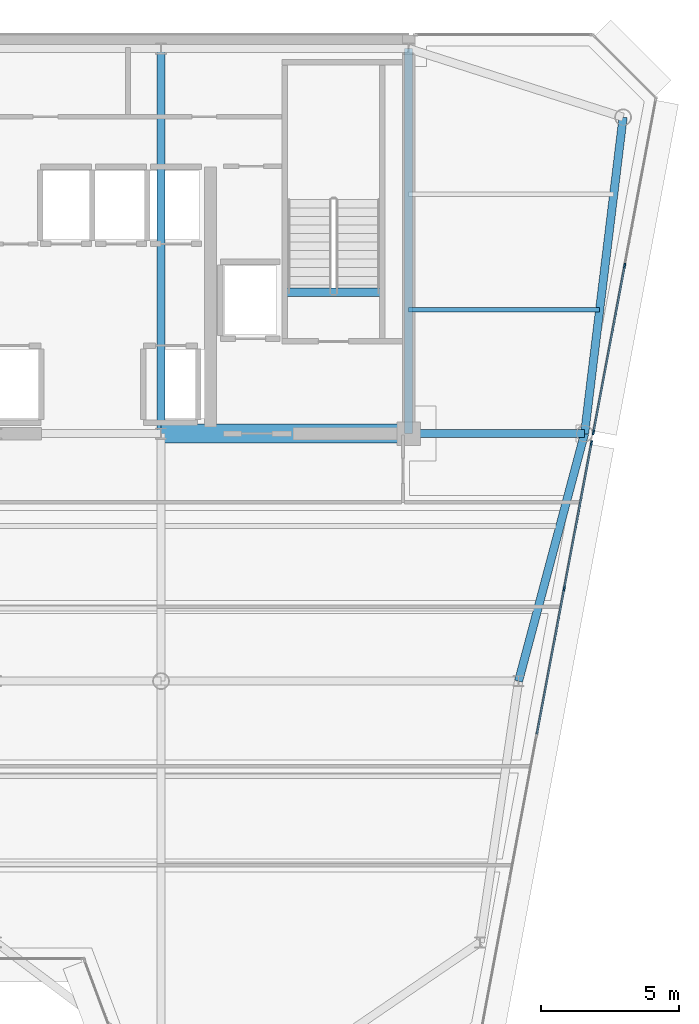
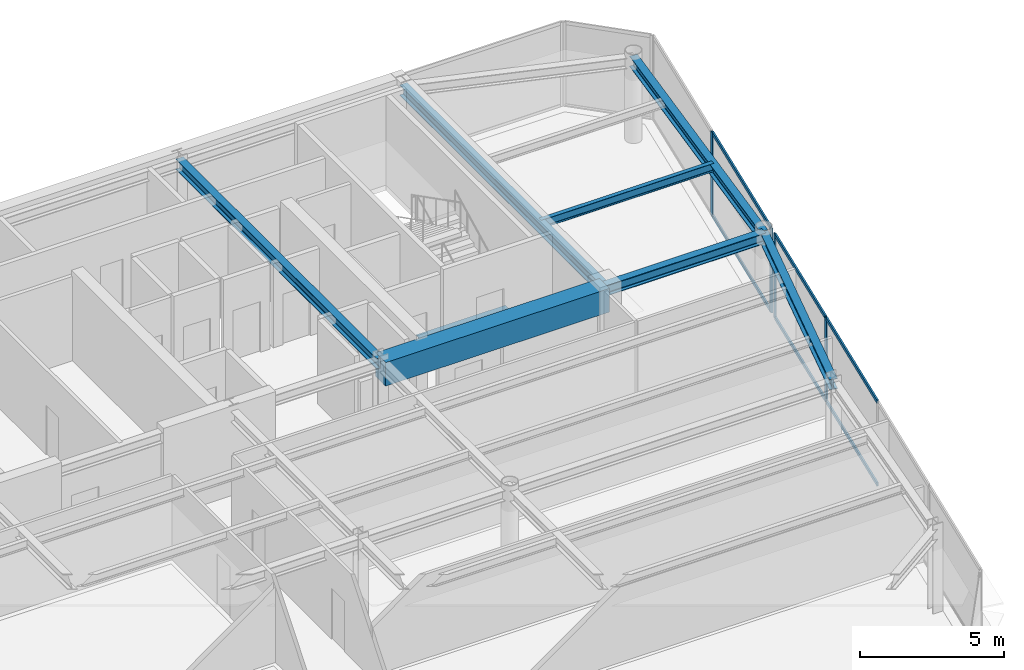
# One storey, part 7 of 20: 10 members, 8 beams, 2 elements without a shape of their own.
"""IFC4 building model written with IfcOpenShell, lengths in metres."""

import ifcopenshell
import ifcopenshell.guid

model = None  # the IFC model being written
_history = None  # IfcOwnerHistory: only IFC2X3 demands one
_inside = {}  # id of a spatial element -> (the spatial element, [elements in it])
_under = {}  # id of a project, library or spatial element -> (it, [spatial elements below it])
_declared = {}  # id of a project -> (the project, [libraries it declares])
_typed = {}  # id of a type object -> (the type object, [elements of that type])
_made_of = {}  # id of a material, layer set ... -> (it, [elements and type objects made of it])


def new_model(schema):
    """Start an empty IFC model of exactly this schema.

    Asked for "IFC4X3", IfcOpenShell would pick the latest addendum, in which some entities
    have other attributes; the version numbers below select the first issue.
    IFC2X3 requires an IfcOwnerHistory on every rooted entity: one is made here for all.
    """
    global model, _history
    if schema == "IFC4X3":
        model = ifcopenshell.file(schema_version=(4, 3, 0, 0))
    else:
        model = ifcopenshell.file(schema=schema)
    _inside.clear()
    _under.clear()
    _declared.clear()
    _typed.clear()
    _made_of.clear()
    _history = None
    if model.schema == "IFC2X3":
        org = make("IfcOrganization", Name="unknown")
        user = make(
            "IfcPersonAndOrganization",
            ThePerson=make("IfcPerson", FamilyName="unknown"),
            TheOrganization=org,
        )
        app = make(
            "IfcApplication",
            ApplicationDeveloper=org,
            Version="unknown",
            ApplicationFullName="unknown",
            ApplicationIdentifier="unknown",
        )
        _history = make(
            "IfcOwnerHistory",
            OwningUser=user,
            OwningApplication=app,
            ChangeAction="ADDED",
            CreationDate=0,
        )
    return model


def make(cls, **values):
    """One entity of the class cls with the attributes given. An attribute that is None is left unset."""
    return model.create_entity(
        cls, **{name: value for name, value in values.items() if value is not None}
    )


def rooted(cls, **values):
    """An entity with a GlobalId (a new one), such as an element, a storey or a relation."""
    return make(cls, GlobalId=ifcopenshell.guid.new(), OwnerHistory=_history, **values)


def si_unit(unit_type, name, prefix=None):
    """IfcSIUnit, for example si_unit("LENGTHUNIT", "METRE", prefix="MILLI")."""
    return make("IfcSIUnit", UnitType=unit_type, Prefix=prefix, Name=name)


def assignment(units):
    """IfcUnitAssignment: the units of a project."""
    return None if units is None else make("IfcUnitAssignment", Units=units)


def point(xyz):
    """IfcCartesianPoint."""
    return None if xyz is None else make("IfcCartesianPoint", Coordinates=xyz)


def direction(xyz):
    """IfcDirection."""
    return None if xyz is None else make("IfcDirection", DirectionRatios=xyz)


def frame(location, z_axis=None, x_axis=None):
    """IfcAxis2Placement3D, a coordinate frame: its origin and axes. An axis left out is left unset."""
    return make(
        "IfcAxis2Placement3D",
        Location=point(location),
        Axis=direction(z_axis),
        RefDirection=direction(x_axis),
    )


def frame_2d(location, x_axis=None):
    """IfcAxis2Placement2D, a coordinate frame in the plane: its origin and x axis."""
    return make(
        "IfcAxis2Placement2D", Location=point(location), RefDirection=direction(x_axis)
    )


def origin():
    """The frame at (0, 0, 0) with its axes left unset."""
    return frame((0.0, 0.0, 0.0))


def origin_2d():
    """The frame at (0, 0) in the plane with its x axis left unset."""
    return frame_2d((0.0, 0.0))


def place(relative_to, where):
    """IfcLocalPlacement: puts the frame where relative to a parent placement (None: the world)."""
    return make(
        "IfcLocalPlacement", PlacementRelTo=relative_to, RelativePlacement=where
    )


def context(
    kind, dimensions, precision=None, world=None, true_north=None, identifier=None
):
    """IfcGeometricRepresentationContext, for example the 3D "Model" context."""
    return make(
        "IfcGeometricRepresentationContext",
        ContextIdentifier=identifier,
        ContextType=kind,
        CoordinateSpaceDimension=dimensions,
        Precision=precision,
        WorldCoordinateSystem=world,
        TrueNorth=true_north,
    )


def subcontext(parent, identifier, kind, view, scale=None):
    """IfcGeometricRepresentationSubContext, for example "Body" below "Model"."""
    return make(
        "IfcGeometricRepresentationSubContext",
        ContextIdentifier=identifier,
        ContextType=kind,
        ParentContext=parent,
        TargetScale=scale,
        TargetView=view,
    )


def project(units=None, contexts=None):
    """IfcProject with its units and contexts."""
    return rooted(
        "IfcProject",
        Name="project",
        RepresentationContexts=contexts,
        UnitsInContext=assignment(units),
    )


def spatial(cls, under=None, at=None, **own):
    """A site, building, storey or space (cls), placed at a placement, below another one or the project."""
    s = rooted(cls, ObjectPlacement=at, **own)
    if under is not None:
        _under.setdefault(under.id(), (under, []))[1].append(s)
    return s


def profile(cls, at=None, kind="AREA", **sizes):
    """A parametric profile (cls). Its sizes go by their IFC names, for example OverallWidth=200.0."""
    return make(cls, ProfileType=kind, Position=at, **sizes)


def rectangle(**sizes):
    """IfcRectangleProfileDef."""
    return profile("IfcRectangleProfileDef", **sizes)


def i_section(**sizes):
    """IfcIShapeProfileDef."""
    return profile("IfcIShapeProfileDef", **sizes)


def extrude(swept, where, along, depth):
    """IfcExtrudedAreaSolid: the profile swept, set in the frame where, extruded along a direction by depth."""
    return make(
        "IfcExtrudedAreaSolid",
        SweptArea=swept,
        Position=where,
        ExtrudedDirection=direction(along),
        Depth=depth,
    )


def shape(context_of_items, identifier, shape_type, items):
    """IfcShapeRepresentation: the items that make up one representation, for example the "Body"."""
    return make(
        "IfcShapeRepresentation",
        ContextOfItems=context_of_items,
        RepresentationIdentifier=identifier,
        RepresentationType=shape_type,
        Items=items,
    )


def source(mapping_origin, context_of_items, identifier, shape_type, items):
    """IfcRepresentationMap: a shape defined once, which mapped items show again and again."""
    return make(
        "IfcRepresentationMap",
        MappingOrigin=mapping_origin,
        MappedRepresentation=shape(context_of_items, identifier, shape_type, items),
    )


def transform(
    local_origin,
    x_axis=None,
    y_axis=None,
    z_axis=None,
    scale=None,
    scale2=None,
    scale3=None,
    uniform=True,
):
    """IfcCartesianTransformationOperator3D, or its non-uniform kind. x_axis, y_axis, z_axis: its Axis1, 2, 3."""
    if uniform:
        return make(
            "IfcCartesianTransformationOperator3D",
            Axis1=direction(x_axis),
            Axis2=direction(y_axis),
            LocalOrigin=point(local_origin),
            Scale=scale,
            Axis3=direction(z_axis),
        )
    return make(
        "IfcCartesianTransformationOperator3DnonUniform",
        Axis1=direction(x_axis),
        Axis2=direction(y_axis),
        LocalOrigin=point(local_origin),
        Scale=scale,
        Axis3=direction(z_axis),
        Scale2=scale2,
        Scale3=scale3,
    )


def mapped(mapping_source, mapping_target):
    """IfcMappedItem: shows the shape of a source again, moved by a transform."""
    return make(
        "IfcMappedItem", MappingSource=mapping_source, MappingTarget=mapping_target
    )


def material(Name=None, Category=None):
    """IfcMaterial."""
    return make("IfcMaterial", Name=Name, Category=Category)


def layer(
    of_material, thickness, ventilated=None, Name=None, Category=None, Priority=None
):
    """IfcMaterialLayer: one layer of a wall or slab, of a material (None: an air gap)."""
    return make(
        "IfcMaterialLayer",
        Material=of_material,
        LayerThickness=thickness,
        IsVentilated=ventilated,
        Name=Name,
        Category=Category,
        Priority=Priority,
    )


def layer_set(layers, Name=None):
    """IfcMaterialLayerSet."""
    return make("IfcMaterialLayerSet", MaterialLayers=layers, LayerSetName=Name)


def material_profile(
    of_material, cross_section, Name=None, Category=None, Priority=None
):
    """IfcMaterialProfile: a cross section and its material."""
    return make(
        "IfcMaterialProfile",
        Name=Name,
        Material=of_material,
        Profile=cross_section,
        Priority=Priority,
        Category=Category,
    )


def profile_set(profiles, Name=None, composite=None):
    """IfcMaterialProfileSet."""
    return make(
        "IfcMaterialProfileSet",
        Name=Name,
        MaterialProfiles=profiles,
        CompositeProfile=composite,
    )


def made_of(thing, what):
    """Note that an element or type object is made of a material, layer set ...; save() writes the relation."""
    if what is not None:
        _made_of.setdefault(what.id(), (what, []))[1].append(thing)
    return thing


def type_object(cls, material=None, **own):
    """A type object (cls), such as IfcWallType, which elements share."""
    return made_of(rooted(cls, **own), material)


def element(
    cls,
    number,
    at=None,
    inside=None,
    cuts=None,
    type_object=None,
    material=None,
    context=None,
    identifier="Body",
    shape_type=None,
    held_by="IfcProductDefinitionShape",
    body=None,
    shapes=None,
    **own,
):
    """One element of the class cls, such as IfcWall. Its Tag is "e" and its number.

    at: its placement. inside: the storey or other place that contains it. cuts: it is an
    opening in that element (IfcRelVoidsElement). A single representation is given by context,
    identifier, shape_type and body (its items); several are given by shapes. held_by: the class
    of the entity that holds the representations. save() writes the other relations.
    """
    e = rooted(cls, Tag="e%d" % number, ObjectPlacement=at, **own)
    if body is not None:
        shapes = [shape(context, identifier, shape_type, body)]
    if shapes is not None:
        e.Representation = make(held_by, Representations=shapes)
    if inside is not None:
        _inside.setdefault(inside.id(), (inside, []))[1].append(e)
    if cuts is not None:
        rooted(
            "IfcRelVoidsElement", RelatingBuildingElement=cuts, RelatedOpeningElement=e
        )
    if type_object is not None:
        _typed.setdefault(type_object.id(), (type_object, []))[1].append(e)
    return made_of(e, material)


def aggregate(whole, parts):
    """IfcRelAggregates: a whole, such as a stair, and the parts it consists of."""
    return rooted("IfcRelAggregates", RelatingObject=whole, RelatedObjects=parts)


def save(model, path):
    """Write the relations noted so far, then the file.

    IfcRelAggregates (storeys below a building ...), IfcRelContainedInSpatialStructure (elements
    in a storey), IfcRelDefinesByType, IfcRelAssociatesMaterial and IfcRelDeclares: one each for
    every whole, place, type object, material and project.
    """
    for whole, parts in _under.values():
        aggregate(whole, parts)
    for where, things in _inside.values():
        rooted(
            "IfcRelContainedInSpatialStructure",
            RelatedElements=things,
            RelatingStructure=where,
        )
    for kind, things in _typed.values():
        rooted("IfcRelDefinesByType", RelatedObjects=things, RelatingType=kind)
    for what, things in _made_of.values():
        rooted("IfcRelAssociatesMaterial", RelatedObjects=things, RelatingMaterial=what)
    for by, libraries in _declared.values():
        rooted("IfcRelDeclares", RelatingContext=by, RelatedDefinitions=libraries)
    model.write(path)


model = new_model("IFC4")

# Units and contexts
model_context = context("Model", 3, precision=1e-05, world=origin(), true_north=direction((0.0, 1.0)))
body_context = subcontext(model_context, "Body", "Model", "MODEL_VIEW")
ifc_project = project(units=[si_unit("LENGTHUNIT", "METRE"), si_unit("AREAUNIT", "SQUARE_METRE"), si_unit("VOLUMEUNIT", "CUBIC_METRE"), si_unit("PLANEANGLEUNIT", "RADIAN"), si_unit("MASSUNIT", "GRAM", prefix="KILO")], contexts=[model_context])

# Site, building, storey
site_placement = place(None, origin())
site = spatial("IfcSite", under=ifc_project, at=site_placement, CompositionType="ELEMENT")
building_placement = place(site_placement, origin())
building = spatial("IfcBuilding", under=site, at=building_placement, Name="Vaeldorn Concourse Tower", CompositionType="ELEMENT")
storey_placement = place(building_placement, frame((0.0, 0.0, 280.199951171875)))
storey = spatial("IfcBuildingStorey", under=building, at=storey_placement, Name="L72", CompositionType="ELEMENT", Elevation=280.199951171875)

# Beams
ifc_material_1 = material(Name="Concrete C50/60", Category="concrete")
ifc_material_profile_1 = material_profile(ifc_material_1, rectangle(XDim=0.699951171875, YDim=1.0, at=origin_2d()), Name="RC 700x1000")
ifc_profile_set_1 = profile_set([ifc_material_profile_1], Name="Concrete C50/60")
beam_type_1 = type_object("IfcBeamType", Name="BM-CB-RC700", PredefinedType="BEAM", material=ifc_profile_set_1)
shared_shape_1 = source(origin(), body_context, "Body", "SweptSolid", [
    extrude(rectangle(XDim=0.699951171875, YDim=1.0, at=origin_2d()), origin(), (0.0, 0.0, 1.0), 9.0),
])
beam_1_placement = place(storey_placement, frame((45.0, 36.5, 3.080078125), z_axis=(1.0, 0.0, 0.0), x_axis=(0.0, 1.0, 0.0)))
element("IfcBeam", 1, at=beam_1_placement, inside=storey, type_object=beam_type_1, Name="Core Coupling Beam L72-2", PredefinedType="BEAM", context=body_context, shape_type="MappedRepresentation", body=[
    mapped(shared_shape_1, transform((0.0, 0.0, 0.0), scale=1.0)),
])
ifc_material_2 = material(Name="Steel S355", Category="steel")
ifc_material_profile_2 = material_profile(ifc_material_2, i_section(OverallWidth=0.300048828125, OverallDepth=0.340087890625, WebThickness=0.011962890625, FlangeThickness=0.021484375, FilletRadius=0.027099609375, at=origin_2d()), Name="HEB 340")
ifc_profile_set_2 = profile_set([ifc_material_profile_2], Name="Steel S355")
beam_type_2 = type_object("IfcBeamType", Name="BM-ST-TRIM", PredefinedType="BEAM", material=ifc_profile_set_2)
shared_shape_2 = source(origin(), body_context, "Body", "SweptSolid", [
    extrude(i_section(OverallWidth=0.300048828125, OverallDepth=0.340087890625, WebThickness=0.011962890625, FlangeThickness=0.021484375, FilletRadius=0.027099609375, at=origin_2d()), origin(), (0.0, 0.0, 1.0), 3.590087890625),
])
beam_2_placement = place(storey_placement, frame((49.47998046875, 41.639892578125, -0.389892578125), z_axis=(1.0, 0.0, 0.0), x_axis=(0.0, 1.0, 0.0)))
element("IfcBeam", 2, at=beam_2_placement, inside=storey, type_object=beam_type_2, Name="Stair Landing Trimmer Beam ST-2 L72", PredefinedType="BEAM", context=body_context, shape_type="MappedRepresentation", body=[
    mapped(shared_shape_2, transform((0.0, 0.0, 0.0), scale=1.0)),
])
ifc_material_profile_3 = material_profile(ifc_material_2, i_section(OverallWidth=0.169921875, OverallDepth=0.360107421875, WebThickness=0.008056640625, FlangeThickness=0.0126953125, FilletRadius=0.01806640625, at=origin_2d()), Name="IPE 360")
ifc_profile_set_3 = profile_set([ifc_material_profile_3], Name="Steel S355")
beam_type_3 = type_object("IfcBeamType", Name="BM-JS-IPE360", PredefinedType="JOIST", material=ifc_profile_set_3)
shared_shape_3 = source(origin(), body_context, "Body", "SweptSolid", [
    extrude(i_section(OverallWidth=0.169921875, OverallDepth=0.360107421875, WebThickness=0.008056640625, FlangeThickness=0.0126953125, FilletRadius=0.01806640625, at=origin_2d()), origin(), (0.0, 0.0, 1.0), 6.94775390625),
])
beam_3_placement = place(storey_placement, frame((54.0, 41.0, 3.400146484375), z_axis=(1.0, 0.0, 0.0), x_axis=(0.0, 1.0, 0.0)))
element("IfcBeam", 3, at=beam_3_placement, inside=storey, type_object=beam_type_3, Name="Beam JS-L72-NE-410", PredefinedType="JOIST", context=body_context, shape_type="MappedRepresentation", body=[
    mapped(shared_shape_3, transform((0.0, 0.0, 0.0), scale=1.0)),
])
ifc_material_profile_4 = material_profile(ifc_material_2, i_section(OverallWidth=0.300048828125, OverallDepth=0.449951171875, WebThickness=0.013916015625, FlangeThickness=0.02587890625, FilletRadius=0.027099609375, at=origin_2d()), Name="HEB 450")
ifc_profile_set_4 = profile_set([ifc_material_profile_4], Name="Steel S355")
beam_type_4 = type_object("IfcBeamType", Name="BM-PG-HEB450", PredefinedType="BEAM", material=ifc_profile_set_4)
shared_shape_4 = source(origin(), body_context, "Body", "SweptSolid", [
    extrude(i_section(OverallWidth=0.300048828125, OverallDepth=0.449951171875, WebThickness=0.013916015625, FlangeThickness=0.02587890625, FilletRadius=0.027099609375, at=origin_2d()), origin(), (0.0, 0.0, 1.0), 14.0),
])
for number, where, z_axis, x_axis, name in (
    (4, (45.0, 36.5, 3.35498046875), (0.0, 1.0, 0.0), (-1.0, 0.0, 0.0), "Beam BM-L72-C-FC5-C-HC4"),
    (5, (54.0, 36.5, 3.35498046875), (0.0, 1.0, 0.0), (-1.0, 0.0, 0.0), "Beam BM-L72-C-FC6-C-HC5"),
):
    element("IfcBeam", number, at=place(storey_placement, frame(where, z_axis=z_axis, x_axis=x_axis)), inside=storey, type_object=beam_type_4, Name=name, PredefinedType="BEAM", context=body_context, shape_type="MappedRepresentation", body=[
        mapped(shared_shape_4, transform((0.0, 0.0, 0.0), scale=1.0)),
    ])
shared_shape_5 = source(origin(), body_context, "Body", "SweptSolid", [
    extrude(i_section(OverallWidth=0.300048828125, OverallDepth=0.449951171875, WebThickness=0.013916015625, FlangeThickness=0.02587890625, FilletRadius=0.027099609375, at=origin_2d()), origin(), (0.0, 0.0, 1.0), 11.5849609375),
])
beam_4_placement = place(storey_placement, frame((61.800048828125, 48.0, 3.35498046875), z_axis=(-0.120859382899, -0.992669637677, 0.0), x_axis=(0.992669637677, -0.120859382899, 0.0)))
element("IfcBeam", 6, at=beam_4_placement, inside=storey, type_object=beam_type_4, Name="Beam BM-L72-C-NE1-C-NE2", PredefinedType="BEAM", context=body_context, shape_type="MappedRepresentation", body=[
    mapped(shared_shape_5, transform((0.0, 0.0, 0.0), scale=1.0)),
])
shared_shape_6 = source(origin(), body_context, "Body", "SweptSolid", [
    extrude(i_section(OverallWidth=0.300048828125, OverallDepth=0.449951171875, WebThickness=0.013916015625, FlangeThickness=0.02587890625, FilletRadius=0.027099609375, at=origin_2d()), origin(), (0.0, 0.0, 1.0), 6.39990234375),
])
beam_5_placement = place(storey_placement, frame((54.0, 36.5, 3.35498046875), z_axis=(1.0, 0.0, 0.0), x_axis=(0.0, 1.0, 0.0)))
element("IfcBeam", 7, at=beam_5_placement, inside=storey, type_object=beam_type_4, Name="Beam BM-L72-C-FC6-C-NE2", PredefinedType="BEAM", context=body_context, shape_type="MappedRepresentation", body=[
    mapped(shared_shape_6, transform((0.0, 0.0, 0.0), scale=1.0)),
])
shared_shape_7 = source(origin(), body_context, "Body", "SweptSolid", [
    extrude(i_section(OverallWidth=0.300048828125, OverallDepth=0.449951171875, WebThickness=0.013916015625, FlangeThickness=0.02587890625, FilletRadius=0.027099609375, at=origin_2d()), origin(), (0.0, 0.0, 1.0), 9.314453125),
])
beam_6_placement = place(storey_placement, frame((60.39990234375, 36.5, 3.35498046875), z_axis=(-0.257652862255, -0.966237549763, 0.0), x_axis=(0.966237549763, -0.257652862255, 0.0)))
element("IfcBeam", 8, at=beam_6_placement, inside=storey, type_object=beam_type_4, Name="Beam BM-L72-C-NE2-C-FLE1", PredefinedType="BEAM", context=body_context, shape_type="MappedRepresentation", body=[
    mapped(shared_shape_7, transform((0.0, 0.0, 0.0), scale=1.0)),
])

# Curtain wall, members
ifc_material_3 = material(Name="Anodised Bronze Aluminium", Category="aluminium")
ifc_layer = layer(ifc_material_3, 0.179931640625)
ifc_layer_set = layer_set([ifc_layer], Name="Anodised Bronze Aluminium")
curtain_wall_type = type_object("IfcCurtainWallType", Name="CW-SYS-05", PredefinedType="NOTDEFINED", material=ifc_layer_set)
curtain_wall_1_placement = place(storey_placement, origin())
curtain_wall_1 = element("IfcCurtainWall", 9, at=curtain_wall_1_placement, inside=storey, type_object=curtain_wall_type, Name="Unitised Curtain Wall CW-L72-E07-1", PredefinedType="NOTDEFINED")
ifc_material_profile_5 = material_profile(ifc_material_3, rectangle(XDim=0.06494140625, YDim=0.169921875, at=origin_2d()), Name="CWM 65x170")
ifc_profile_set_5 = profile_set([ifc_material_profile_5], Name="Anodised Bronze Aluminium")
member_type_1 = type_object("IfcMemberType", Name="CWM-BRONZE-170", PredefinedType="MULLION", material=ifc_profile_set_5)
shared_shape_8 = source(origin(), body_context, "Body", "SweptSolid", [
    extrude(rectangle(XDim=0.06494140625, YDim=0.169921875, at=origin_2d()), origin(), (0.0, 0.0, 1.0), 3.580078125),
])
member_1_placement = place(storey_placement, frame((59.656494140625, 30.86376953125, 0.0), z_axis=(0.0, 0.0, 1.0), x_axis=(-0.982880027444, 0.184246714088, 0.0)))
member_1 = element("IfcMember", 10, at=member_1_placement, type_object=member_type_1, Name="CW-05 mullion 4", PredefinedType="MULLION", context=body_context, shape_type="MappedRepresentation", body=[
    mapped(shared_shape_8, transform((0.0, 0.0, 0.0), scale=1.0)),
])
member_2_placement = place(storey_placement, frame((60.64794921875, 36.153076171875, 0.0), z_axis=(0.0, 0.0, 1.0), x_axis=(-0.982880027444, 0.184246714088, 0.0)))
member_2 = element("IfcMember", 11, at=member_2_placement, type_object=member_type_1, Name="CW-05 mullion 5", PredefinedType="MULLION", context=body_context, shape_type="MappedRepresentation", body=[
    mapped(shared_shape_8, transform((0.0, 0.0, 0.0), scale=1.0)),
])

curtain_wall_2_placement = place(storey_placement, origin())
curtain_wall_2 = element("IfcCurtainWall", 12, at=curtain_wall_2_placement, inside=storey, type_object=curtain_wall_type, Name="Unitised Curtain Wall CW-L72-E07-2", PredefinedType="NOTDEFINED")
member_3_placement = place(storey_placement, frame((60.720947265625, 36.542236328125, 0.0), z_axis=(0.0, 0.0, 1.0), x_axis=(-0.982880218842, 0.184245693053, 0.0)))
member_3 = element("IfcMember", 13, at=member_3_placement, type_object=member_type_1, Name="CW-05 mullion 1", PredefinedType="MULLION", context=body_context, shape_type="MappedRepresentation", body=[
    mapped(shared_shape_8, transform((0.0, 0.0, 0.0), scale=1.0)),
])
member_4_placement = place(storey_placement, frame((61.857421875, 42.605224609375, 0.0), z_axis=(0.0, 0.0, 1.0), x_axis=(-0.982880218842, 0.184245693053, 0.0)))
member_4 = element("IfcMember", 14, at=member_4_placement, type_object=member_type_1, Name="CW-05 mullion 2", PredefinedType="MULLION", context=body_context, shape_type="MappedRepresentation", body=[
    mapped(shared_shape_8, transform((0.0, 0.0, 0.0), scale=1.0)),
])

# Member
ifc_material_profile_6 = material_profile(ifc_material_3, rectangle(XDim=0.06494140625, YDim=0.14990234375, at=origin_2d()), Name="CWT 65x150")
ifc_profile_set_6 = profile_set([ifc_material_profile_6], Name="Anodised Bronze Aluminium")
member_type_2 = type_object("IfcMemberType", Name="CWT-BRONZE-150", PredefinedType="USERDEFINED", material=ifc_profile_set_6)
shared_shape_9 = source(origin(), body_context, "Body", "SweptSolid", [
    extrude(rectangle(XDim=0.06494140625, YDim=0.14990234375, at=origin_2d()), origin(), (0.0, 0.0, 1.0), 5.31640625),
])
member_5_placement = place(storey_placement, frame((59.66259765625, 30.895751953125, 0.032470703125), z_axis=(0.184241399207, 0.982881023735, 0.0), x_axis=(-0.982881023735, 0.184241399207, 0.0)))
member_5 = element("IfcMember", 15, at=member_5_placement, type_object=member_type_2, Name="CW-05 transom 4.1", ObjectType="TRANSOM", PredefinedType="USERDEFINED", context=body_context, shape_type="MappedRepresentation", body=[
    mapped(shared_shape_9, transform((0.0, 0.0, 0.0), scale=1.0)),
])

member_6_placement = place(storey_placement, frame((59.66259765625, 30.895751953125, 3.547607421875), z_axis=(0.184241399207, 0.982881023735, 0.0), x_axis=(-0.982881023735, 0.184241399207, 0.0)))
member_6 = element("IfcMember", 16, at=member_6_placement, type_object=member_type_2, Name="CW-05 transom 4.2", ObjectType="TRANSOM", PredefinedType="USERDEFINED", context=body_context, shape_type="MappedRepresentation", body=[
    mapped(shared_shape_9, transform((0.0, 0.0, 0.0), scale=1.0)),
])

shared_shape_10 = source(origin(), body_context, "Body", "SweptSolid", [
    extrude(rectangle(XDim=0.06494140625, YDim=0.14990234375, at=origin_2d()), origin(), (0.0, 0.0, 1.0), 5.348876953125),
])
member_7_placement = place(storey_placement, frame((58.6650390625, 25.574462890625, 0.032470703125), z_axis=(0.184216882988, 0.982885618993, 0.0), x_axis=(-0.982885618993, 0.184216882988, 0.0)))
member_7 = element("IfcMember", 17, at=member_7_placement, type_object=member_type_2, Name="CW-05 transom 3.1", ObjectType="TRANSOM", PredefinedType="USERDEFINED", context=body_context, shape_type="MappedRepresentation", body=[
    mapped(shared_shape_10, transform((0.0, 0.0, 0.0), scale=1.0)),
])

member_8_placement = place(storey_placement, frame((58.6650390625, 25.574462890625, 3.547607421875), z_axis=(0.184216882988, 0.982885618993, 0.0), x_axis=(-0.982885618993, 0.184216882988, 0.0)))
member_8 = element("IfcMember", 18, at=member_8_placement, type_object=member_type_2, Name="CW-05 transom 3.2", ObjectType="TRANSOM", PredefinedType="USERDEFINED", context=body_context, shape_type="MappedRepresentation", body=[
    mapped(shared_shape_10, transform((0.0, 0.0, 0.0), scale=1.0)),
])

aggregate(curtain_wall_1, [member_1, member_2, member_7, member_8, member_5, member_6])

shared_shape_11 = source(origin(), body_context, "Body", "SweptSolid", [
    extrude(rectangle(XDim=0.06494140625, YDim=0.14990234375, at=origin_2d()), origin(), (0.0, 0.0, 1.0), 6.103515625),
])
member_9_placement = place(storey_placement, frame((60.72705078125, 36.57421875, 0.032470703125), z_axis=(0.18424023288, 0.982881242363, 0.0), x_axis=(-0.982881242363, 0.18424023288, 0.0)))
member_9 = element("IfcMember", 19, at=member_9_placement, type_object=member_type_2, Name="CW-05 transom 1.1", ObjectType="TRANSOM", PredefinedType="USERDEFINED", context=body_context, shape_type="MappedRepresentation", body=[
    mapped(shared_shape_11, transform((0.0, 0.0, 0.0), scale=1.0)),
])

member_10_placement = place(storey_placement, frame((60.72705078125, 36.57421875, 3.547607421875), z_axis=(0.18424023288, 0.982881242363, 0.0), x_axis=(-0.982881242363, 0.18424023288, 0.0)))
member_10 = element("IfcMember", 20, at=member_10_placement, type_object=member_type_2, Name="CW-05 transom 1.2", ObjectType="TRANSOM", PredefinedType="USERDEFINED", context=body_context, shape_type="MappedRepresentation", body=[
    mapped(shared_shape_11, transform((0.0, 0.0, 0.0), scale=1.0)),
])

aggregate(curtain_wall_2, [member_3, member_4, member_9, member_10])

save(model, "model.ifc")
